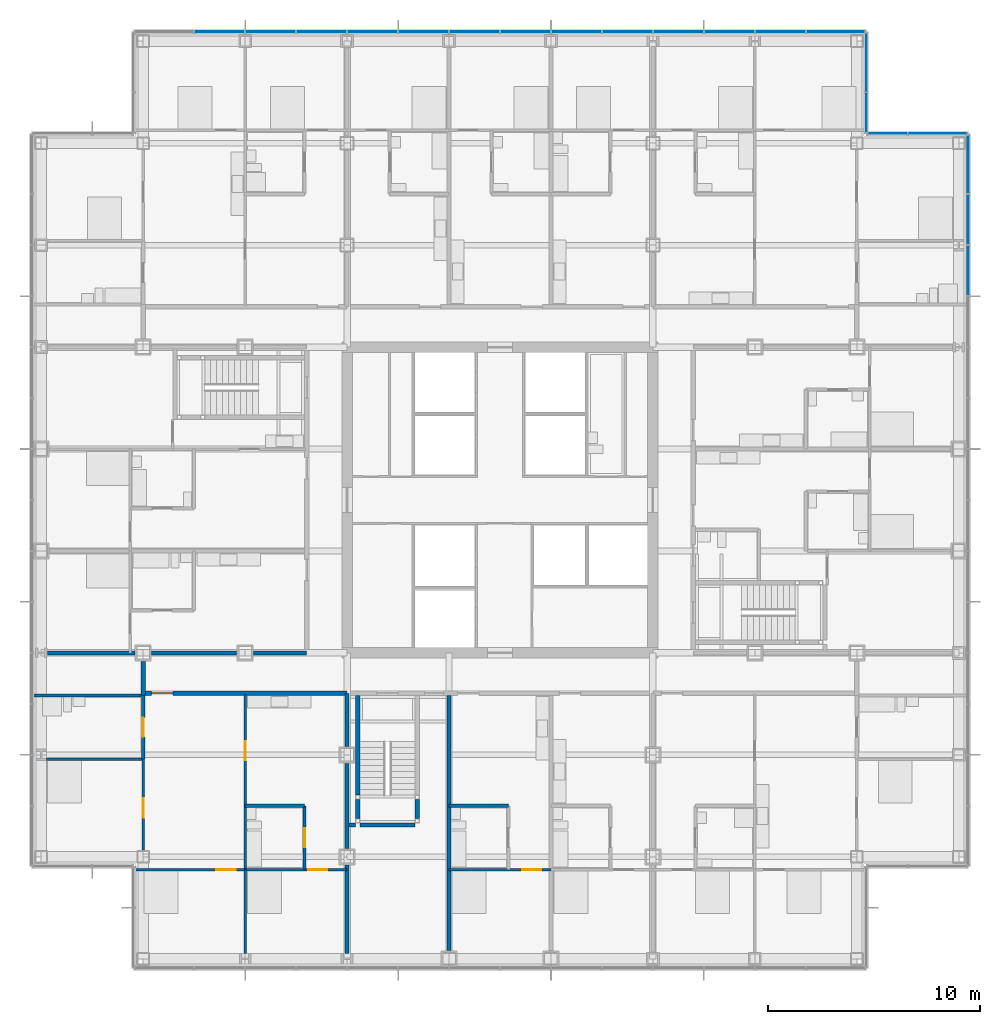
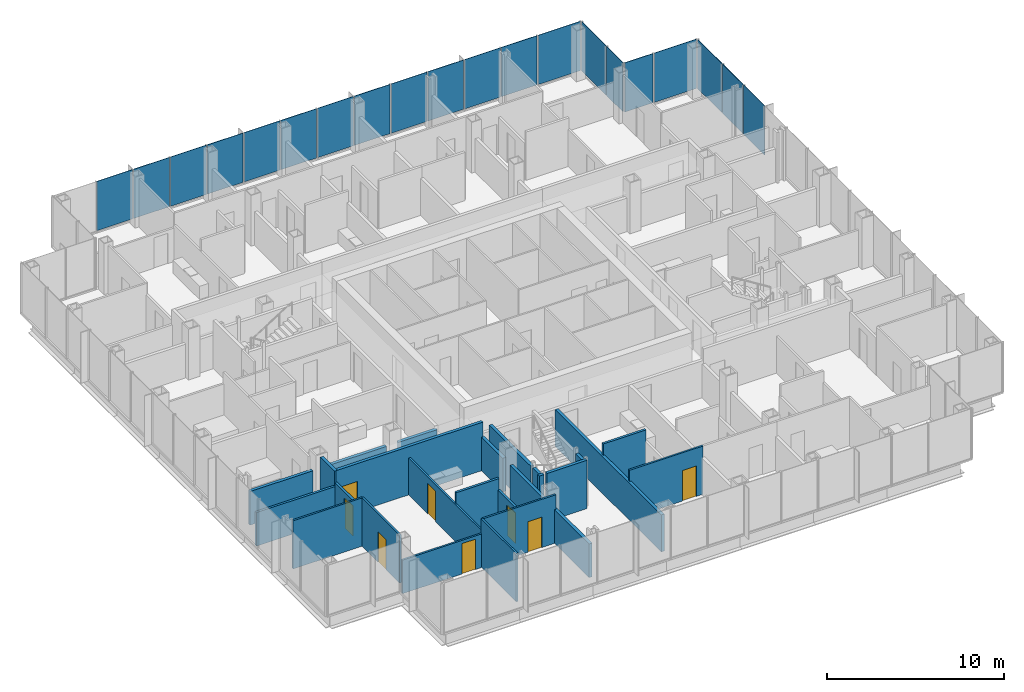
# One storey, part 13 of 21: 26 walls, 20 plates, 8 doors, 8 openings, 4 elements without a shape of their own.
"""IFC4 building model written with IfcOpenShell, lengths in metres."""

import ifcopenshell
import ifcopenshell.guid

model = None  # the IFC model being written
_history = None  # IfcOwnerHistory: only IFC2X3 demands one
_inside = {}  # id of a spatial element -> (the spatial element, [elements in it])
_under = {}  # id of a project, library or spatial element -> (it, [spatial elements below it])
_declared = {}  # id of a project -> (the project, [libraries it declares])
_typed = {}  # id of a type object -> (the type object, [elements of that type])
_made_of = {}  # id of a material, layer set ... -> (it, [elements and type objects made of it])


def new_model(schema):
    """Start an empty IFC model of exactly this schema.

    Asked for "IFC4X3", IfcOpenShell would pick the latest addendum, in which some entities
    have other attributes; the version numbers below select the first issue.
    IFC2X3 requires an IfcOwnerHistory on every rooted entity: one is made here for all.
    """
    global model, _history
    if schema == "IFC4X3":
        model = ifcopenshell.file(schema_version=(4, 3, 0, 0))
    else:
        model = ifcopenshell.file(schema=schema)
    _inside.clear()
    _under.clear()
    _declared.clear()
    _typed.clear()
    _made_of.clear()
    _history = None
    if model.schema == "IFC2X3":
        org = make("IfcOrganization", Name="unknown")
        user = make(
            "IfcPersonAndOrganization",
            ThePerson=make("IfcPerson", FamilyName="unknown"),
            TheOrganization=org,
        )
        app = make(
            "IfcApplication",
            ApplicationDeveloper=org,
            Version="unknown",
            ApplicationFullName="unknown",
            ApplicationIdentifier="unknown",
        )
        _history = make(
            "IfcOwnerHistory",
            OwningUser=user,
            OwningApplication=app,
            ChangeAction="ADDED",
            CreationDate=0,
        )
    return model


def make(cls, **values):
    """One entity of the class cls with the attributes given. An attribute that is None is left unset."""
    return model.create_entity(
        cls, **{name: value for name, value in values.items() if value is not None}
    )


def rooted(cls, **values):
    """An entity with a GlobalId (a new one), such as an element, a storey or a relation."""
    return make(cls, GlobalId=ifcopenshell.guid.new(), OwnerHistory=_history, **values)


def si_unit(unit_type, name, prefix=None):
    """IfcSIUnit, for example si_unit("LENGTHUNIT", "METRE", prefix="MILLI")."""
    return make("IfcSIUnit", UnitType=unit_type, Prefix=prefix, Name=name)


def assignment(units):
    """IfcUnitAssignment: the units of a project."""
    return None if units is None else make("IfcUnitAssignment", Units=units)


def point(xyz):
    """IfcCartesianPoint."""
    return None if xyz is None else make("IfcCartesianPoint", Coordinates=xyz)


def direction(xyz):
    """IfcDirection."""
    return None if xyz is None else make("IfcDirection", DirectionRatios=xyz)


def frame(location, z_axis=None, x_axis=None):
    """IfcAxis2Placement3D, a coordinate frame: its origin and axes. An axis left out is left unset."""
    return make(
        "IfcAxis2Placement3D",
        Location=point(location),
        Axis=direction(z_axis),
        RefDirection=direction(x_axis),
    )


def frame_2d(location, x_axis=None):
    """IfcAxis2Placement2D, a coordinate frame in the plane: its origin and x axis."""
    return make(
        "IfcAxis2Placement2D", Location=point(location), RefDirection=direction(x_axis)
    )


def origin():
    """The frame at (0, 0, 0) with its axes left unset."""
    return frame((0.0, 0.0, 0.0))


def origin_2d():
    """The frame at (0, 0) in the plane with its x axis left unset."""
    return frame_2d((0.0, 0.0))


def place(relative_to, where):
    """IfcLocalPlacement: puts the frame where relative to a parent placement (None: the world)."""
    return make(
        "IfcLocalPlacement", PlacementRelTo=relative_to, RelativePlacement=where
    )


def context(
    kind, dimensions, precision=None, world=None, true_north=None, identifier=None
):
    """IfcGeometricRepresentationContext, for example the 3D "Model" context."""
    return make(
        "IfcGeometricRepresentationContext",
        ContextIdentifier=identifier,
        ContextType=kind,
        CoordinateSpaceDimension=dimensions,
        Precision=precision,
        WorldCoordinateSystem=world,
        TrueNorth=true_north,
    )


def subcontext(parent, identifier, kind, view, scale=None):
    """IfcGeometricRepresentationSubContext, for example "Body" below "Model"."""
    return make(
        "IfcGeometricRepresentationSubContext",
        ContextIdentifier=identifier,
        ContextType=kind,
        ParentContext=parent,
        TargetScale=scale,
        TargetView=view,
    )


def project(units=None, contexts=None):
    """IfcProject with its units and contexts."""
    return rooted(
        "IfcProject",
        Name="project",
        RepresentationContexts=contexts,
        UnitsInContext=assignment(units),
    )


def spatial(cls, under=None, at=None, **own):
    """A site, building, storey or space (cls), placed at a placement, below another one or the project."""
    s = rooted(cls, ObjectPlacement=at, **own)
    if under is not None:
        _under.setdefault(under.id(), (under, []))[1].append(s)
    return s


def profile(cls, at=None, kind="AREA", **sizes):
    """A parametric profile (cls). Its sizes go by their IFC names, for example OverallWidth=200.0."""
    return make(cls, ProfileType=kind, Position=at, **sizes)


def rectangle(**sizes):
    """IfcRectangleProfileDef."""
    return profile("IfcRectangleProfileDef", **sizes)


def extrude(swept, where, along, depth):
    """IfcExtrudedAreaSolid: the profile swept, set in the frame where, extruded along a direction by depth."""
    return make(
        "IfcExtrudedAreaSolid",
        SweptArea=swept,
        Position=where,
        ExtrudedDirection=direction(along),
        Depth=depth,
    )


def shape(context_of_items, identifier, shape_type, items):
    """IfcShapeRepresentation: the items that make up one representation, for example the "Body"."""
    return make(
        "IfcShapeRepresentation",
        ContextOfItems=context_of_items,
        RepresentationIdentifier=identifier,
        RepresentationType=shape_type,
        Items=items,
    )


def material(Name=None, Category=None):
    """IfcMaterial."""
    return make("IfcMaterial", Name=Name, Category=Category)


def layer(
    of_material, thickness, ventilated=None, Name=None, Category=None, Priority=None
):
    """IfcMaterialLayer: one layer of a wall or slab, of a material (None: an air gap)."""
    return make(
        "IfcMaterialLayer",
        Material=of_material,
        LayerThickness=thickness,
        IsVentilated=ventilated,
        Name=Name,
        Category=Category,
        Priority=Priority,
    )


def layer_set(layers, Name=None):
    """IfcMaterialLayerSet."""
    return make("IfcMaterialLayerSet", MaterialLayers=layers, LayerSetName=Name)


def made_of(thing, what):
    """Note that an element or type object is made of a material, layer set ...; save() writes the relation."""
    if what is not None:
        _made_of.setdefault(what.id(), (what, []))[1].append(thing)
    return thing


def type_object(cls, material=None, **own):
    """A type object (cls), such as IfcWallType, which elements share."""
    return made_of(rooted(cls, **own), material)


def element(
    cls,
    number,
    at=None,
    inside=None,
    cuts=None,
    type_object=None,
    material=None,
    context=None,
    identifier="Body",
    shape_type=None,
    held_by="IfcProductDefinitionShape",
    body=None,
    shapes=None,
    **own,
):
    """One element of the class cls, such as IfcWall. Its Tag is "e" and its number.

    at: its placement. inside: the storey or other place that contains it. cuts: it is an
    opening in that element (IfcRelVoidsElement). A single representation is given by context,
    identifier, shape_type and body (its items); several are given by shapes. held_by: the class
    of the entity that holds the representations. save() writes the other relations.
    """
    e = rooted(cls, Tag="e%d" % number, ObjectPlacement=at, **own)
    if body is not None:
        shapes = [shape(context, identifier, shape_type, body)]
    if shapes is not None:
        e.Representation = make(held_by, Representations=shapes)
    if inside is not None:
        _inside.setdefault(inside.id(), (inside, []))[1].append(e)
    if cuts is not None:
        rooted(
            "IfcRelVoidsElement", RelatingBuildingElement=cuts, RelatedOpeningElement=e
        )
    if type_object is not None:
        _typed.setdefault(type_object.id(), (type_object, []))[1].append(e)
    return made_of(e, material)


def fill(opening, filler):
    """IfcRelFillsElement: the door or window that sits in an opening."""
    return rooted(
        "IfcRelFillsElement",
        RelatingOpeningElement=opening,
        RelatedBuildingElement=filler,
    )


def aggregate(whole, parts):
    """IfcRelAggregates: a whole, such as a stair, and the parts it consists of."""
    return rooted("IfcRelAggregates", RelatingObject=whole, RelatedObjects=parts)


def save(model, path):
    """Write the relations noted so far, then the file.

    IfcRelAggregates (storeys below a building ...), IfcRelContainedInSpatialStructure (elements
    in a storey), IfcRelDefinesByType, IfcRelAssociatesMaterial and IfcRelDeclares: one each for
    every whole, place, type object, material and project.
    """
    for whole, parts in _under.values():
        aggregate(whole, parts)
    for where, things in _inside.values():
        rooted(
            "IfcRelContainedInSpatialStructure",
            RelatedElements=things,
            RelatingStructure=where,
        )
    for kind, things in _typed.values():
        rooted("IfcRelDefinesByType", RelatedObjects=things, RelatingType=kind)
    for what, things in _made_of.values():
        rooted("IfcRelAssociatesMaterial", RelatedObjects=things, RelatingMaterial=what)
    for by, libraries in _declared.values():
        rooted("IfcRelDeclares", RelatingContext=by, RelatedDefinitions=libraries)
    model.write(path)


model = new_model("IFC4")

# Units and contexts
model_context = context("Model", 3, precision=1e-05, world=origin(), true_north=direction((0.0, 1.0)))
body_context = subcontext(model_context, "Body", "Model", "MODEL_VIEW")
ifc_project = project(units=[si_unit("LENGTHUNIT", "METRE"), si_unit("AREAUNIT", "SQUARE_METRE"), si_unit("VOLUMEUNIT", "CUBIC_METRE"), si_unit("PLANEANGLEUNIT", "RADIAN"), si_unit("MASSUNIT", "GRAM", prefix="KILO")], contexts=[model_context])

# Site, building, storey
site_placement = place(None, origin())
site = spatial("IfcSite", under=ifc_project, at=site_placement, CompositionType="ELEMENT")
building_placement = place(site_placement, origin())
building = spatial("IfcBuilding", under=site, at=building_placement, Name="Kvirike Care Tower", CompositionType="ELEMENT")
storey_placement = place(building_placement, frame((0.0, 0.0, 55.0)))
storey = spatial("IfcBuildingStorey", under=building, at=storey_placement, Name="L14", CompositionType="ELEMENT", Elevation=55.0)

# Curtain wall, plates
ifc_material_1 = material(Name="Anodised aluminium stick system", Category="aluminium")
curtain_wall_type = type_object("IfcCurtainWallType", Name="CW-A STICK CURTAIN WALL", PredefinedType="NOTDEFINED", material=ifc_material_1)
curtain_wall_1_placement = place(storey_placement, origin())
curtain_wall_1 = element("IfcCurtainWall", 1, at=curtain_wall_1_placement, inside=storey, type_object=curtain_wall_type, Name="Curtain wall L14 face 7", PredefinedType="NOTDEFINED")
ifc_material_2 = material(Name="Tinted double glazed unit", Category="glass")
ifc_layer_1 = layer(ifc_material_2, 0.031982421875)
ifc_layer_set_1 = layer_set([ifc_layer_1], Name="TINTED VISION PANEL 32")
plate_type = type_object("IfcPlateType", Name="TINTED VISION PANEL 32", PredefinedType="CURTAIN_PANEL", material=ifc_layer_set_1)
plate_1_placement = place(storey_placement, frame((43.64990234375, 46.800048828125, 0.10009765625), z_axis=(0.0, 0.0, 1.0), x_axis=(0.0, 1.0, 0.0)))
plate_1 = element("IfcPlate", 2, at=plate_1_placement, type_object=plate_type, Name="CW-A panel L14 face 7.12", PredefinedType="CURTAIN_PANEL", context=body_context, shape_type="SweptSolid", body=[
    extrude(rectangle(XDim=2.3349609375, YDim=0.031982421875, at=origin_2d()), origin(), (0.0, 0.0, 1.0), 3.39990234375),
])
plate_2_placement = place(storey_placement, frame((43.64990234375, 49.199951171875, 0.10009765625), z_axis=(0.0, 0.0, 1.0), x_axis=(0.0, 1.0, 0.0)))
plate_2 = element("IfcPlate", 3, at=plate_2_placement, type_object=plate_type, Name="CW-A panel L14 face 7.13", PredefinedType="CURTAIN_PANEL", context=body_context, shape_type="SweptSolid", body=[
    extrude(rectangle(XDim=2.3349609375, YDim=0.031982421875, at=origin_2d()), origin(), (0.0, 0.0, 1.0), 3.39990234375),
])
plate_3_placement = place(storey_placement, frame((43.64990234375, 51.808837890625, 0.10009765625), z_axis=(0.0, 0.0, 1.0), x_axis=(0.0, 1.0, 0.0)))
plate_3 = element("IfcPlate", 4, at=plate_3_placement, type_object=plate_type, Name="CW-A panel L14 face 7.14", PredefinedType="CURTAIN_PANEL", context=body_context, shape_type="SweptSolid", body=[
    extrude(rectangle(XDim=2.75244140625, YDim=0.031982421875, at=origin_2d()), origin(), (0.0, 0.0, 1.0), 3.39990234375),
])
aggregate(curtain_wall_1, [plate_1, plate_2, plate_3])

curtain_wall_2_placement = place(storey_placement, origin())
curtain_wall_2 = element("IfcCurtainWall", 5, at=curtain_wall_2_placement, inside=storey, type_object=curtain_wall_type, Name="Curtain wall L14 face 8", PredefinedType="NOTDEFINED")
plate_4_placement = place(storey_placement, frame((42.208740234375, 53.25, 0.10009765625), z_axis=(0.0, 0.0, 1.0), x_axis=(-1.0, 0.0, 0.0)))
plate_4 = element("IfcPlate", 6, at=plate_4_placement, type_object=plate_type, Name="CW-A panel L14 face 8.1", PredefinedType="CURTAIN_PANEL", context=body_context, shape_type="SweptSolid", body=[
    extrude(rectangle(XDim=2.75244140625, YDim=0.031982421875, at=origin_2d()), origin(), (0.0, 0.0, 1.0), 3.39990234375),
])
plate_5_placement = place(storey_placement, frame((39.84130859375, 53.25, 0.10009765625), z_axis=(0.0, 0.0, 1.0), x_axis=(-1.0, 0.0, 0.0)))
plate_5 = element("IfcPlate", 7, at=plate_5_placement, type_object=plate_type, Name="CW-A panel L14 face 8.2", PredefinedType="CURTAIN_PANEL", context=body_context, shape_type="SweptSolid", body=[
    extrude(rectangle(XDim=1.8525390625, YDim=0.031982421875, at=origin_2d()), origin(), (0.0, 0.0, 1.0), 3.39990234375),
])
aggregate(curtain_wall_2, [plate_4, plate_5])

curtain_wall_3_placement = place(storey_placement, origin())
curtain_wall_3 = element("IfcCurtainWall", 8, at=curtain_wall_3_placement, inside=storey, type_object=curtain_wall_type, Name="Curtain wall L14 face 9", PredefinedType="NOTDEFINED")
plate_6_placement = place(storey_placement, frame((38.85009765625, 54.2412109375, 0.10009765625), z_axis=(0.0, 0.0, 1.0), x_axis=(0.0, 1.0, 0.0)))
plate_6 = element("IfcPlate", 9, at=plate_6_placement, type_object=plate_type, Name="CW-A panel L14 face 9.1", PredefinedType="CURTAIN_PANEL", context=body_context, shape_type="SweptSolid", body=[
    extrude(rectangle(XDim=1.8525390625, YDim=0.031982421875, at=origin_2d()), origin(), (0.0, 0.0, 1.0), 3.39990234375),
])
plate_7_placement = place(storey_placement, frame((38.85009765625, 56.608642578125, 0.10009765625), z_axis=(0.0, 0.0, 1.0), x_axis=(0.0, 1.0, 0.0)))
plate_7 = element("IfcPlate", 10, at=plate_7_placement, type_object=plate_type, Name="CW-A panel L14 face 9.2", PredefinedType="CURTAIN_PANEL", context=body_context, shape_type="SweptSolid", body=[
    extrude(rectangle(XDim=2.75244140625, YDim=0.031982421875, at=origin_2d()), origin(), (0.0, 0.0, 1.0), 3.39990234375),
])
aggregate(curtain_wall_3, [plate_6, plate_7])

curtain_wall_4_placement = place(storey_placement, origin())
curtain_wall_4 = element("IfcCurtainWall", 11, at=curtain_wall_4_placement, inside=storey, type_object=curtain_wall_type, Name="Curtain wall L14 face 10", PredefinedType="NOTDEFINED")
plate_8_placement = place(storey_placement, frame((37.40869140625, 58.050048828125, 0.10009765625), z_axis=(0.0, 0.0, 1.0), x_axis=(-1.0, 0.0, 0.0)))
plate_8 = element("IfcPlate", 12, at=plate_8_placement, type_object=plate_type, Name="CW-A panel L14 face 10.1", PredefinedType="CURTAIN_PANEL", context=body_context, shape_type="SweptSolid", body=[
    extrude(rectangle(XDim=2.75244140625, YDim=0.031982421875, at=origin_2d()), origin(), (0.0, 0.0, 1.0), 3.39990234375),
])
plate_9_placement = place(storey_placement, frame((34.800048828125, 58.050048828125, 0.10009765625), z_axis=(0.0, 0.0, 1.0), x_axis=(-1.0, 0.0, 0.0)))
plate_9 = element("IfcPlate", 13, at=plate_9_placement, type_object=plate_type, Name="CW-A panel L14 face 10.2", PredefinedType="CURTAIN_PANEL", context=body_context, shape_type="SweptSolid", body=[
    extrude(rectangle(XDim=2.3349609375, YDim=0.031982421875, at=origin_2d()), origin(), (0.0, 0.0, 1.0), 3.39990234375),
])
plate_10_placement = place(storey_placement, frame((32.39990234375, 58.050048828125, 0.10009765625), z_axis=(0.0, 0.0, 1.0), x_axis=(-1.0, 0.0, 0.0)))
plate_10 = element("IfcPlate", 14, at=plate_10_placement, type_object=plate_type, Name="CW-A panel L14 face 10.3", PredefinedType="CURTAIN_PANEL", context=body_context, shape_type="SweptSolid", body=[
    extrude(rectangle(XDim=2.3349609375, YDim=0.031982421875, at=origin_2d()), origin(), (0.0, 0.0, 1.0), 3.39990234375),
])
plate_11_placement = place(storey_placement, frame((30.0, 58.050048828125, 0.10009765625), z_axis=(0.0, 0.0, 1.0), x_axis=(-1.0, 0.0, 0.0)))
plate_11 = element("IfcPlate", 15, at=plate_11_placement, type_object=plate_type, Name="CW-A panel L14 face 10.4", PredefinedType="CURTAIN_PANEL", context=body_context, shape_type="SweptSolid", body=[
    extrude(rectangle(XDim=2.3349609375, YDim=0.031982421875, at=origin_2d()), origin(), (0.0, 0.0, 1.0), 3.39990234375),
])
plate_12_placement = place(storey_placement, frame((27.60009765625, 58.050048828125, 0.10009765625), z_axis=(0.0, 0.0, 1.0), x_axis=(-1.0, 0.0, 0.0)))
plate_12 = element("IfcPlate", 16, at=plate_12_placement, type_object=plate_type, Name="CW-A panel L14 face 10.5", PredefinedType="CURTAIN_PANEL", context=body_context, shape_type="SweptSolid", body=[
    extrude(rectangle(XDim=2.3349609375, YDim=0.031982421875, at=origin_2d()), origin(), (0.0, 0.0, 1.0), 3.39990234375),
])
plate_13_placement = place(storey_placement, frame((25.199951171875, 58.050048828125, 0.10009765625), z_axis=(0.0, 0.0, 1.0), x_axis=(-1.0, 0.0, 0.0)))
plate_13 = element("IfcPlate", 17, at=plate_13_placement, type_object=plate_type, Name="CW-A panel L14 face 10.6", PredefinedType="CURTAIN_PANEL", context=body_context, shape_type="SweptSolid", body=[
    extrude(rectangle(XDim=2.3349609375, YDim=0.031982421875, at=origin_2d()), origin(), (0.0, 0.0, 1.0), 3.39990234375),
])
plate_14_placement = place(storey_placement, frame((22.800048828125, 58.050048828125, 0.10009765625), z_axis=(0.0, 0.0, 1.0), x_axis=(-1.0, 0.0, 0.0)))
plate_14 = element("IfcPlate", 18, at=plate_14_placement, type_object=plate_type, Name="CW-A panel L14 face 10.7", PredefinedType="CURTAIN_PANEL", context=body_context, shape_type="SweptSolid", body=[
    extrude(rectangle(XDim=2.3349609375, YDim=0.031982421875, at=origin_2d()), origin(), (0.0, 0.0, 1.0), 3.39990234375),
])
plate_15_placement = place(storey_placement, frame((20.39990234375, 58.050048828125, 0.10009765625), z_axis=(0.0, 0.0, 1.0), x_axis=(-1.0, 0.0, 0.0)))
plate_15 = element("IfcPlate", 19, at=plate_15_placement, type_object=plate_type, Name="CW-A panel L14 face 10.8", PredefinedType="CURTAIN_PANEL", context=body_context, shape_type="SweptSolid", body=[
    extrude(rectangle(XDim=2.3349609375, YDim=0.031982421875, at=origin_2d()), origin(), (0.0, 0.0, 1.0), 3.39990234375),
])
plate_16_placement = place(storey_placement, frame((18.0, 58.050048828125, 0.10009765625), z_axis=(0.0, 0.0, 1.0), x_axis=(-1.0, 0.0, 0.0)))
plate_16 = element("IfcPlate", 20, at=plate_16_placement, type_object=plate_type, Name="CW-A panel L14 face 10.9", PredefinedType="CURTAIN_PANEL", context=body_context, shape_type="SweptSolid", body=[
    extrude(rectangle(XDim=2.3349609375, YDim=0.031982421875, at=origin_2d()), origin(), (0.0, 0.0, 1.0), 3.39990234375),
])
plate_17_placement = place(storey_placement, frame((15.60009765625, 58.050048828125, 0.10009765625), z_axis=(0.0, 0.0, 1.0), x_axis=(-1.0, 0.0, 0.0)))
plate_17 = element("IfcPlate", 21, at=plate_17_placement, type_object=plate_type, Name="CW-A panel L14 face 10.10", PredefinedType="CURTAIN_PANEL", context=body_context, shape_type="SweptSolid", body=[
    extrude(rectangle(XDim=2.3349609375, YDim=0.031982421875, at=origin_2d()), origin(), (0.0, 0.0, 1.0), 3.39990234375),
])
plate_18_placement = place(storey_placement, frame((13.199951171875, 58.050048828125, 0.10009765625), z_axis=(0.0, 0.0, 1.0), x_axis=(-1.0, 0.0, 0.0)))
plate_18 = element("IfcPlate", 22, at=plate_18_placement, type_object=plate_type, Name="CW-A panel L14 face 10.11", PredefinedType="CURTAIN_PANEL", context=body_context, shape_type="SweptSolid", body=[
    extrude(rectangle(XDim=2.3349609375, YDim=0.031982421875, at=origin_2d()), origin(), (0.0, 0.0, 1.0), 3.39990234375),
])
plate_19_placement = place(storey_placement, frame((10.800048828125, 58.050048828125, 0.10009765625), z_axis=(0.0, 0.0, 1.0), x_axis=(-1.0, 0.0, 0.0)))
plate_19 = element("IfcPlate", 23, at=plate_19_placement, type_object=plate_type, Name="CW-A panel L14 face 10.12", PredefinedType="CURTAIN_PANEL", context=body_context, shape_type="SweptSolid", body=[
    extrude(rectangle(XDim=2.3349609375, YDim=0.031982421875, at=origin_2d()), origin(), (0.0, 0.0, 1.0), 3.39990234375),
])
plate_20_placement = place(storey_placement, frame((8.39990234375, 58.050048828125, 0.10009765625), z_axis=(0.0, 0.0, 1.0), x_axis=(-1.0, 0.0, 0.0)))
plate_20 = element("IfcPlate", 24, at=plate_20_placement, type_object=plate_type, Name="CW-A panel L14 face 10.13", PredefinedType="CURTAIN_PANEL", context=body_context, shape_type="SweptSolid", body=[
    extrude(rectangle(XDim=2.3349609375, YDim=0.031982421875, at=origin_2d()), origin(), (0.0, 0.0, 1.0), 3.39990234375),
])
aggregate(curtain_wall_4, [plate_8, plate_9, plate_10, plate_11, plate_12, plate_13, plate_14, plate_15, plate_16, plate_17, plate_18, plate_19, plate_20])

# Wall, opening, door
ifc_material_3 = material(Name="Moisture-resistant board partition", Category="gypsum")
ifc_layer_2 = layer(ifc_material_3, 0.14990234375)
ifc_layer_set_2 = layer_set([ifc_layer_2], Name="BATHROOM WALL 150")
wall_type_1 = type_object("IfcWallType", Name="BATHROOM WALL 150", PredefinedType="PARTITIONING", material=ifc_layer_set_2)
wall_1_placement = place(storey_placement, frame((4.800048828125, 23.800048828125, 0.0), z_axis=(0.0, 0.0, 1.0), x_axis=(0.0, 1.0, 0.0)))
wall_1 = element("IfcWall", 25, at=wall_1_placement, inside=storey, type_object=wall_type_1, Name="Bathroom Wall 150 L14", PredefinedType="PARTITIONING", context=body_context, shape_type="SweptSolid", body=[
    extrude(rectangle(XDim=3.0, YDim=0.14990234375, at=frame_2d((1.5, 0.0))), origin(), (0.0, 0.0, 1.0), 2.550048828125),
])
opening_1_placement = place(wall_1_placement, frame((1.050048828125, 0.0, 0.0)))
opening_1 = element("IfcOpeningElement", 26, at=opening_1_placement, cuts=wall_1, Name="Opening 14-001", PredefinedType="OPENING", context=body_context, shape_type="SweptSolid", body=[
    extrude(rectangle(XDim=0.89990234375, YDim=2.10009765625, at=frame_2d((0.449951171875, 1.050048828125))), frame((0.0, 0.08544921875, 0.0), z_axis=(0.0, -1.0, 0.0), x_axis=(1.0, 0.0, 0.0)), (0.0, 0.0, 1.0), 0.1708984375),
])
ifc_material_4 = material(Name="Timber door set", Category="wood")
door_type_1 = type_object("IfcDoorType", Name="BATHROOM DOOR 900", OperationType="SINGLE_SWING_RIGHT", PredefinedType="DOOR", material=ifc_material_4)
door_1_placement = place(opening_1_placement, origin())
door_1 = element("IfcDoor", 27, at=door_1_placement, inside=storey, type_object=door_type_1, Name="Shower room door", OperationType="SINGLE_SWING_RIGHT", OverallHeight=2.10009765625, OverallWidth=0.89990234375, PredefinedType="DOOR", context=body_context, shape_type="SweptSolid", body=[
    extrude(rectangle(XDim=0.89990234375, YDim=2.10009765625, at=frame_2d((0.449951171875, 1.050048828125))), frame((0.0, 0.02197265625, 0.0), z_axis=(0.0, -1.0, 0.0), x_axis=(1.0, 0.0, 0.0)), (0.0, 0.0, 1.0), 0.0439453125),
])
fill(opening_1, door_1)

wall_2_placement = place(storey_placement, frame((12.39990234375, 18.60009765625, 0.0), z_axis=(0.0, 0.0, 1.0), x_axis=(0.0, 1.0, 0.0)))
wall_2 = element("IfcWall", 28, at=wall_2_placement, inside=storey, type_object=wall_type_1, Name="Bathroom Wall 150 L14", PredefinedType="PARTITIONING", context=body_context, shape_type="SweptSolid", body=[
    extrude(rectangle(XDim=3.0, YDim=0.14990234375, at=frame_2d((1.5, 0.0))), origin(), (0.0, 0.0, 1.0), 2.550048828125),
])
opening_2_placement = place(wall_2_placement, frame((1.050048828125, 0.0, 0.0)))
opening_2 = element("IfcOpeningElement", 29, at=opening_2_placement, cuts=wall_2, Name="Opening 14-002", PredefinedType="OPENING", context=body_context, shape_type="SweptSolid", body=[
    extrude(rectangle(XDim=0.89990234375, YDim=2.10009765625, at=frame_2d((0.449951171875, 1.050048828125))), frame((0.0, 0.08544921875, 0.0), z_axis=(0.0, -1.0, 0.0), x_axis=(1.0, 0.0, 0.0)), (0.0, 0.0, 1.0), 0.1708984375),
])
door_2_placement = place(opening_2_placement, origin())
door_2 = element("IfcDoor", 30, at=door_2_placement, inside=storey, type_object=door_type_1, Name="Bathroom door", OperationType="SINGLE_SWING_LEFT", OverallHeight=2.10009765625, OverallWidth=0.89990234375, PredefinedType="DOOR", context=body_context, shape_type="SweptSolid", body=[
    extrude(rectangle(XDim=0.89990234375, YDim=2.10009765625, at=frame_2d((0.449951171875, 1.050048828125))), frame((0.0, 0.02197265625, 0.0), z_axis=(0.0, -1.0, 0.0), x_axis=(1.0, 0.0, 0.0)), (0.0, 0.0, 1.0), 0.0439453125),
])
fill(opening_2, door_2)

# Walls
wall_3_placement = place(storey_placement, frame((9.60009765625, 21.60009765625, 0.0), z_axis=(0.0, 0.0, 1.0), x_axis=(1.0, 0.0, 0.0)))
element("IfcWall", 31, at=wall_3_placement, inside=storey, type_object=wall_type_1, Name="Bathroom Wall 150 L14", PredefinedType="PARTITIONING", context=body_context, shape_type="SweptSolid", body=[
    extrude(rectangle(XDim=2.7998046875, YDim=0.14990234375, at=frame_2d((1.39990234375, 0.0))), origin(), (0.0, 0.0, 1.0), 3.330078125),
])
wall_4_placement = place(storey_placement, frame((19.199951171875, 21.60009765625, 0.0), z_axis=(0.0, 0.0, 1.0), x_axis=(1.0, 0.0, 0.0)))
element("IfcWall", 32, at=wall_4_placement, inside=storey, type_object=wall_type_1, Name="Bathroom Wall 150 L14", PredefinedType="PARTITIONING", context=body_context, shape_type="SweptSolid", body=[
    extrude(rectangle(XDim=2.800048828125, YDim=0.14990234375, at=frame_2d((1.39990234375, 0.0))), origin(), (0.0, 0.0, 1.0), 3.330078125),
])
wall_5_placement = place(storey_placement, frame((-0.429931640625, 26.800048828125, 0.0), z_axis=(0.0, 0.0, 1.0), x_axis=(1.0, 0.0, 0.0)))
element("IfcWall", 33, at=wall_5_placement, inside=storey, type_object=wall_type_1, Name="Bathroom Wall 150 L14", PredefinedType="PARTITIONING", context=body_context, shape_type="SweptSolid", body=[
    extrude(rectangle(XDim=5.1298828125, YDim=0.14990234375, at=frame_2d((2.56494140625, 0.0))), origin(), (0.0, 0.0, 1.0), 2.320068359375),
])

# Wall, opening, door
ifc_material_5 = material(Name="Plasterboard corridor wall", Category="gypsum")
ifc_layer_3 = layer(ifc_material_5, 0.199951171875)
ifc_layer_set_3 = layer_set([ifc_layer_3], Name="CORRIDOR WALL 200")
wall_type_2 = type_object("IfcWallType", Name="CORRIDOR WALL 200", PredefinedType="PARTITIONING", material=ifc_layer_set_3)
wall_6_placement = place(storey_placement, frame((4.800048828125, 26.89990234375, 0.0), z_axis=(0.0, 0.0, 1.0), x_axis=(1.0, 0.0, 0.0)))
wall_6 = element("IfcWall", 34, at=wall_6_placement, inside=storey, type_object=wall_type_2, Name="Corridor Wall 200 L14", PredefinedType="PARTITIONING", context=body_context, shape_type="SweptSolid", body=[
    extrude(rectangle(XDim=9.599853515625, YDim=0.199951171875, at=frame_2d((4.7998046875, 0.0))), origin(), (0.0, 0.0, 1.0), 3.330078125),
])
opening_3_placement = place(wall_6_placement, frame((0.39990234375, 0.0, 0.0)))
opening_3 = element("IfcOpeningElement", 35, at=opening_3_placement, cuts=wall_6, Name="Opening 14-007", PredefinedType="OPENING", context=body_context, shape_type="SweptSolid", body=[
    extrude(rectangle(XDim=1.0, YDim=2.10009765625, at=frame_2d((0.5, 1.050048828125))), frame((0.0, 0.110595703125, 0.0), z_axis=(0.0, -1.0, 0.0), x_axis=(1.0, 0.0, 0.0)), (0.0, 0.0, 1.0), 0.220947265625),
])
ifc_material_6 = material(Name="Timber door set", Category="wood")
door_type_2 = type_object("IfcDoorType", Name="FLAT ENTRANCE DOOR 1000", OperationType="SINGLE_SWING_LEFT", PredefinedType="DOOR", material=ifc_material_6)
door_3_placement = place(opening_3_placement, frame((1.0, 0.0, 0.0), z_axis=(0.0, 0.0, 1.0), x_axis=(-1.0, 0.0, 0.0)))
door_3 = element("IfcDoor", 36, at=door_3_placement, inside=storey, type_object=door_type_2, Name="Three-bedroom corner apartment entrance", OperationType="SINGLE_SWING_LEFT", OverallHeight=2.10009765625, OverallWidth=1.0, PredefinedType="DOOR", context=body_context, shape_type="SweptSolid", body=[
    extrude(rectangle(XDim=1.0, YDim=2.10009765625, at=frame_2d((0.5, 1.050048828125))), frame((0.0, 0.02685546875, 0.0), z_axis=(0.0, -1.0, 0.0), x_axis=(1.0, 0.0, 0.0)), (0.0, 0.0, 1.0), 0.053955078125),
])
fill(opening_3, door_3)

# Wall
wall_7_placement = place(storey_placement, frame((4.800048828125, 26.800048828125, 0.0), z_axis=(0.0, 0.0, 1.0), x_axis=(0.0, 1.0, 0.0)))
element("IfcWall", 37, at=wall_7_placement, inside=storey, type_object=wall_type_2, Name="Corridor Wall 200 L14", PredefinedType="PARTITIONING", context=body_context, shape_type="SweptSolid", body=[
    extrude(rectangle(XDim=1.60498046875, YDim=0.199951171875, at=frame_2d((0.802490234375, 0.0))), origin(), (0.0, 0.0, 1.0), 3.330078125),
])

# Wall, opening, door
ifc_material_7 = material(Name="Plasterboard partition", Category="gypsum")
ifc_layer_4 = layer(ifc_material_7, 0.1201171875)
ifc_layer_set_4 = layer_set([ifc_layer_4], Name="PARTITION 120")
wall_type_3 = type_object("IfcWallType", Name="PARTITION 120", PredefinedType="PARTITIONING", material=ifc_layer_set_4)
wall_8_placement = place(storey_placement, frame((9.60009765625, 18.60009765625, 0.0), z_axis=(0.0, 0.0, 1.0), x_axis=(0.0, 1.0, 0.0)))
wall_8 = element("IfcWall", 38, at=wall_8_placement, inside=storey, type_object=wall_type_3, Name="Partition 120 L14", PredefinedType="PARTITIONING", context=body_context, shape_type="SweptSolid", body=[
    extrude(rectangle(XDim=8.25, YDim=0.1201171875, at=frame_2d((4.125, 0.0))), origin(), (0.0, 0.0, 1.0), 2.550048828125),
])
opening_4_placement = place(wall_8_placement, frame((5.14990234375, 0.0, 0.0)))
opening_4 = element("IfcOpeningElement", 39, at=opening_4_placement, cuts=wall_8, Name="Opening 14-003", PredefinedType="OPENING", context=body_context, shape_type="SweptSolid", body=[
    extrude(rectangle(XDim=0.89990234375, YDim=2.10009765625, at=frame_2d((0.449951171875, 1.050048828125))), frame((0.0, 0.070556640625, 0.0), z_axis=(0.0, -1.0, 0.0), x_axis=(1.0, 0.0, 0.0)), (0.0, 0.0, 1.0), 0.14111328125),
])
ifc_material_8 = material(Name="Timber door set", Category="wood")
door_type_3 = type_object("IfcDoorType", Name="INTERNAL DOOR 900", OperationType="SINGLE_SWING_LEFT", PredefinedType="DOOR", material=ifc_material_8)
door_4_placement = place(opening_4_placement, frame((0.89990234375, 0.0, 0.0), z_axis=(0.0, 0.0, 1.0), x_axis=(-1.0, 0.0, 0.0)))
door_4 = element("IfcDoor", 40, at=door_4_placement, inside=storey, type_object=door_type_3, Name="Hall door", OperationType="SINGLE_SWING_LEFT", OverallHeight=2.10009765625, OverallWidth=0.89990234375, PredefinedType="DOOR", context=body_context, shape_type="SweptSolid", body=[
    extrude(rectangle(XDim=0.89990234375, YDim=2.10009765625, at=frame_2d((0.449951171875, 1.050048828125))), frame((0.0, 0.02197265625, 0.0), z_axis=(0.0, -1.0, 0.0), x_axis=(1.0, 0.0, 0.0)), (0.0, 0.0, 1.0), 0.0439453125),
])
fill(opening_4, door_4)

# Wall
wall_9_placement = place(storey_placement, frame((0.243896484375, 23.800048828125, 0.0), z_axis=(0.0, 0.0, 1.0), x_axis=(1.0, 0.0, 0.0)))
element("IfcWall", 41, at=wall_9_placement, inside=storey, type_object=wall_type_3, Name="Partition 120 L14", PredefinedType="PARTITIONING", context=body_context, shape_type="SweptSolid", body=[
    extrude(rectangle(XDim=4.55615234375, YDim=0.1201171875, at=frame_2d((2.278076171875, 0.0))), origin(), (0.0, 0.0, 1.0), 3.330078125),
])

# Wall, opening, door
wall_10_placement = place(storey_placement, frame((4.364990234375, 18.60009765625, 0.0), z_axis=(0.0, 0.0, 1.0), x_axis=(1.0, 0.0, 0.0)))
wall_10 = element("IfcWall", 42, at=wall_10_placement, inside=storey, type_object=wall_type_3, Name="Partition 120 L14", PredefinedType="PARTITIONING", context=body_context, shape_type="SweptSolid", body=[
    extrude(rectangle(XDim=5.235107421875, YDim=0.1201171875, at=frame_2d((2.61767578125, 0.0))), origin(), (0.0, 0.0, 1.0), 2.320068359375),
])
opening_5_placement = place(wall_10_placement, frame((3.885009765625, 0.0, 0.0)))
opening_5 = element("IfcOpeningElement", 43, at=opening_5_placement, cuts=wall_10, Name="Opening 14-004", PredefinedType="OPENING", context=body_context, shape_type="SweptSolid", body=[
    extrude(rectangle(XDim=0.89990234375, YDim=2.10009765625, at=frame_2d((0.449951171875, 1.050048828125))), frame((0.0, 0.070556640625, 0.0), z_axis=(0.0, -1.0, 0.0), x_axis=(1.0, 0.0, 0.0)), (0.0, 0.0, 1.0), 0.14111328125),
])
door_5_placement = place(opening_5_placement, frame((0.89990234375, 0.0, 0.0), z_axis=(0.0, 0.0, 1.0), x_axis=(-1.0, 0.0, 0.0)))
door_5 = element("IfcDoor", 44, at=door_5_placement, inside=storey, type_object=door_type_3, Name="Apartment bedroom door", OperationType="SINGLE_SWING_RIGHT", OverallHeight=2.10009765625, OverallWidth=0.89990234375, PredefinedType="DOOR", context=body_context, shape_type="SweptSolid", body=[
    extrude(rectangle(XDim=0.89990234375, YDim=2.10009765625, at=frame_2d((0.449951171875, 1.050048828125))), frame((0.0, 0.02197265625, 0.0), z_axis=(0.0, -1.0, 0.0), x_axis=(1.0, 0.0, 0.0)), (0.0, 0.0, 1.0), 0.0439453125),
])
fill(opening_5, door_5)

wall_11_placement = place(storey_placement, frame((9.60009765625, 18.60009765625, 0.0), z_axis=(0.0, 0.0, 1.0), x_axis=(1.0, 0.0, 0.0)))
wall_11 = element("IfcWall", 45, at=wall_11_placement, inside=storey, type_object=wall_type_3, Name="Partition 120 L14", PredefinedType="PARTITIONING", context=body_context, shape_type="SweptSolid", body=[
    extrude(rectangle(XDim=4.7998046875, YDim=0.1201171875, at=frame_2d((2.39990234375, 0.0))), origin(), (0.0, 0.0, 1.0), 3.330078125),
])
opening_6_placement = place(wall_11_placement, frame((2.97509765625, 0.0, 0.0)))
opening_6 = element("IfcOpeningElement", 46, at=opening_6_placement, cuts=wall_11, Name="Opening 14-005", PredefinedType="OPENING", context=body_context, shape_type="SweptSolid", body=[
    extrude(rectangle(XDim=0.89990234375, YDim=2.10009765625, at=frame_2d((0.449951171875, 1.050048828125))), frame((0.0, 0.070556640625, 0.0), z_axis=(0.0, -1.0, 0.0), x_axis=(1.0, 0.0, 0.0)), (0.0, 0.0, 1.0), 0.14111328125),
])
door_6_placement = place(opening_6_placement, frame((0.89990234375, 0.0, 0.0), z_axis=(0.0, 0.0, 1.0), x_axis=(-1.0, 0.0, 0.0)))
door_6 = element("IfcDoor", 47, at=door_6_placement, inside=storey, type_object=door_type_3, Name="Apartment bedroom door", OperationType="SINGLE_SWING_RIGHT", OverallHeight=2.10009765625, OverallWidth=0.89990234375, PredefinedType="DOOR", context=body_context, shape_type="SweptSolid", body=[
    extrude(rectangle(XDim=0.89990234375, YDim=2.10009765625, at=frame_2d((0.449951171875, 1.050048828125))), frame((0.0, 0.02197265625, 0.0), z_axis=(0.0, -1.0, 0.0), x_axis=(1.0, 0.0, 0.0)), (0.0, 0.0, 1.0), 0.0439453125),
])
fill(opening_6, door_6)

wall_12_placement = place(storey_placement, frame((4.800048828125, 19.52001953125, 0.0), z_axis=(0.0, 0.0, 1.0), x_axis=(0.0, 1.0, 0.0)))
wall_12 = element("IfcWall", 48, at=wall_12_placement, inside=storey, type_object=wall_type_3, Name="Partition 120 L14", PredefinedType="PARTITIONING", context=body_context, shape_type="SweptSolid", body=[
    extrude(rectangle(XDim=4.280029296875, YDim=0.1201171875, at=frame_2d((2.14013671875, 0.0))), origin(), (0.0, 0.0, 1.0), 3.330078125),
])
opening_7_placement = place(wall_12_placement, frame((1.530029296875, 0.0, 0.0)))
opening_7 = element("IfcOpeningElement", 49, at=opening_7_placement, cuts=wall_12, Name="Opening 14-006", PredefinedType="OPENING", context=body_context, shape_type="SweptSolid", body=[
    extrude(rectangle(XDim=0.89990234375, YDim=2.10009765625, at=frame_2d((0.449951171875, 1.050048828125))), frame((0.0, 0.070556640625, 0.0), z_axis=(0.0, -1.0, 0.0), x_axis=(1.0, 0.0, 0.0)), (0.0, 0.0, 1.0), 0.14111328125),
])
door_7_placement = place(opening_7_placement, origin())
door_7 = element("IfcDoor", 50, at=door_7_placement, inside=storey, type_object=door_type_3, Name="Connecting door", OperationType="SINGLE_SWING_LEFT", OverallHeight=2.10009765625, OverallWidth=0.89990234375, PredefinedType="DOOR", context=body_context, shape_type="SweptSolid", body=[
    extrude(rectangle(XDim=0.89990234375, YDim=2.10009765625, at=frame_2d((0.449951171875, 1.050048828125))), frame((0.0, 0.02197265625, 0.0), z_axis=(0.0, -1.0, 0.0), x_axis=(1.0, 0.0, 0.0)), (0.0, 0.0, 1.0), 0.0439453125),
])
fill(opening_7, door_7)

# Wall
wall_13_placement = place(storey_placement, frame((9.60009765625, 14.64404296875, 0.0), z_axis=(0.0, 0.0, 1.0), x_axis=(0.0, 1.0, 0.0)))
element("IfcWall", 51, at=wall_13_placement, inside=storey, type_object=wall_type_3, Name="Partition 120 L14", PredefinedType="PARTITIONING", context=body_context, shape_type="SweptSolid", body=[
    extrude(rectangle(XDim=3.9560546875, YDim=0.1201171875, at=frame_2d((1.97802734375, 0.0))), origin(), (0.0, 0.0, 1.0), 3.330078125),
])

# Wall, opening, door
wall_14_placement = place(storey_placement, frame((19.199951171875, 18.60009765625, 0.0), z_axis=(0.0, 0.0, 1.0), x_axis=(1.0, 0.0, 0.0)))
wall_14 = element("IfcWall", 52, at=wall_14_placement, inside=storey, type_object=wall_type_3, Name="Partition 120 L14", PredefinedType="PARTITIONING", context=body_context, shape_type="SweptSolid", body=[
    extrude(rectangle(XDim=4.800048828125, YDim=0.1201171875, at=frame_2d((2.39990234375, 0.0))), origin(), (0.0, 0.0, 1.0), 3.330078125),
])
opening_8_placement = place(wall_14_placement, frame((3.449951171875, 0.0, 0.0)))
opening_8 = element("IfcOpeningElement", 53, at=opening_8_placement, cuts=wall_14, Name="Opening 14-025", PredefinedType="OPENING", context=body_context, shape_type="SweptSolid", body=[
    extrude(rectangle(XDim=0.89990234375, YDim=2.10009765625, at=frame_2d((0.449951171875, 1.050048828125))), frame((0.0, 0.070556640625, 0.0), z_axis=(0.0, -1.0, 0.0), x_axis=(1.0, 0.0, 0.0)), (0.0, 0.0, 1.0), 0.14111328125),
])
door_8_placement = place(opening_8_placement, frame((0.89990234375, 0.0, 0.0), z_axis=(0.0, 0.0, 1.0), x_axis=(-1.0, 0.0, 0.0)))
door_8 = element("IfcDoor", 54, at=door_8_placement, inside=storey, type_object=door_type_3, Name="Studio apartment living room door", OperationType="SINGLE_SWING_LEFT", OverallHeight=2.10009765625, OverallWidth=0.89990234375, PredefinedType="DOOR", context=body_context, shape_type="SweptSolid", body=[
    extrude(rectangle(XDim=0.89990234375, YDim=2.10009765625, at=frame_2d((0.449951171875, 1.050048828125))), frame((0.0, 0.02197265625, 0.0), z_axis=(0.0, -1.0, 0.0), x_axis=(1.0, 0.0, 0.0)), (0.0, 0.0, 1.0), 0.0439453125),
])
fill(opening_8, door_8)

# Walls
ifc_material_9 = material(Name="Plasterboard party wall", Category="gypsum")
ifc_layer_5 = layer(ifc_material_9, 0.199951171875)
ifc_layer_set_5 = layer_set([ifc_layer_5], Name="PARTY WALL 200")
wall_type_4 = type_object("IfcWallType", Name="PARTY WALL 200", PredefinedType="PARTITIONING", material=ifc_layer_set_5)
wall_15_placement = place(storey_placement, frame((19.199951171875, 14.794921875, 0.0), z_axis=(0.0, 0.0, 1.0), x_axis=(0.0, 1.0, 0.0)))
element("IfcWall", 55, at=wall_15_placement, inside=storey, type_object=wall_type_4, Name="Party Wall 200 L14", PredefinedType="PARTITIONING", context=body_context, shape_type="SweptSolid", body=[
    extrude(rectangle(XDim=12.005126953125, YDim=0.199951171875, at=frame_2d((6.00244140625, 0.0))), origin(), (0.0, 0.0, 1.0), 2.550048828125),
])
wall_16_placement = place(storey_placement, frame((12.5, 28.800048828125, 0.0), z_axis=(0.0, 0.0, 1.0), x_axis=(-1.0, 0.0, 0.0)))
element("IfcWall", 56, at=wall_16_placement, inside=storey, type_object=wall_type_4, Name="Party Wall 200 L14", PredefinedType="PARTITIONING", context=body_context, shape_type="SweptSolid", body=[
    extrude(rectangle(XDim=2.5048828125, YDim=0.199951171875, at=frame_2d((1.25244140625, 0.0))), origin(), (0.0, 0.0, 1.0), 2.320068359375),
])
wall_17_placement = place(storey_placement, frame((9.205078125, 28.800048828125, 0.0), z_axis=(0.0, 0.0, 1.0), x_axis=(-1.0, 0.0, 0.0)))
element("IfcWall", 57, at=wall_17_placement, inside=storey, type_object=wall_type_4, Name="Party Wall 200 L14", PredefinedType="PARTITIONING", context=body_context, shape_type="SweptSolid", body=[
    extrude(rectangle(XDim=4.010009765625, YDim=0.199951171875, at=frame_2d((2.0048828125, 0.0))), origin(), (0.0, 0.0, 1.0), 2.320068359375),
])
wall_18_placement = place(storey_placement, frame((4.405029296875, 28.800048828125, 0.0), z_axis=(0.0, 0.0, 1.0), x_axis=(-1.0, 0.0, 0.0)))
element("IfcWall", 58, at=wall_18_placement, inside=storey, type_object=wall_type_4, Name="Party Wall 200 L14", PredefinedType="PARTITIONING", context=body_context, shape_type="SweptSolid", body=[
    extrude(rectangle(XDim=4.110107421875, YDim=0.199951171875, at=frame_2d((2.05517578125, 0.0))), origin(), (0.0, 0.0, 1.0), 2.320068359375),
])
wall_19_placement = place(storey_placement, frame((14.39990234375, 14.64404296875, 0.0), z_axis=(0.0, 0.0, 1.0), x_axis=(0.0, 1.0, 0.0)))
element("IfcWall", 59, at=wall_19_placement, inside=storey, type_object=wall_type_4, Name="Party Wall 200 L14", PredefinedType="PARTITIONING", context=body_context, shape_type="SweptSolid", body=[
    extrude(rectangle(XDim=4.160888671875, YDim=0.199951171875, at=frame_2d((2.08056640625, 0.0))), origin(), (0.0, 0.0, 1.0), 2.320068359375),
])
wall_20_placement = place(storey_placement, frame((14.39990234375, 19.594970703125, 0.0), z_axis=(0.0, 0.0, 1.0), x_axis=(0.0, 1.0, 0.0)))
element("IfcWall", 60, at=wall_20_placement, inside=storey, type_object=wall_type_4, Name="Party Wall 200 L14", PredefinedType="PARTITIONING", context=body_context, shape_type="SweptSolid", body=[
    extrude(rectangle(XDim=4.010009765625, YDim=0.199951171875, at=frame_2d((2.0048828125, 0.0))), origin(), (0.0, 0.0, 1.0), 2.320068359375),
])
wall_21_placement = place(storey_placement, frame((14.39990234375, 24.39501953125, 0.0), z_axis=(0.0, 0.0, 1.0), x_axis=(0.0, 1.0, 0.0)))
element("IfcWall", 61, at=wall_21_placement, inside=storey, type_object=wall_type_4, Name="Party Wall 200 L14", PredefinedType="PARTITIONING", context=body_context, shape_type="SweptSolid", body=[
    extrude(rectangle(XDim=2.5048828125, YDim=0.199951171875, at=frame_2d((1.25244140625, 0.0))), origin(), (0.0, 0.0, 1.0), 2.320068359375),
])
ifc_material_10 = material(Name="Concrete C40/50", Category="concrete")
ifc_layer_6 = layer(ifc_material_10, 0.199951171875)
ifc_layer_set_6 = layer_set([ifc_layer_6], Name="STAIR WALL 200")
wall_type_5 = type_object("IfcWallType", Name="STAIR WALL 200", PredefinedType="SOLIDWALL", material=ifc_layer_set_6)
wall_22_placement = place(storey_placement, frame((14.89990234375, 21.0, 0.0), z_axis=(0.0, 0.0, 1.0), x_axis=(0.0, 1.0, 0.0)))
element("IfcWall", 62, at=wall_22_placement, inside=storey, type_object=wall_type_5, Name="Stair Wall 200 L14", PredefinedType="SOLIDWALL", context=body_context, shape_type="SweptSolid", body=[
    extrude(rectangle(XDim=0.89990234375, YDim=0.199951171875, at=frame_2d((0.449951171875, 0.0))), origin(), (0.0, 0.0, 1.0), 2.989990234375),
])
wall_23_placement = place(storey_placement, frame((14.89990234375, 22.10009765625, 0.0), z_axis=(0.0, 0.0, 1.0), x_axis=(0.0, 1.0, 0.0)))
element("IfcWall", 63, at=wall_23_placement, inside=storey, type_object=wall_type_5, Name="Stair Wall 200 L14", PredefinedType="SOLIDWALL", context=body_context, shape_type="SweptSolid", body=[
    extrude(rectangle(XDim=4.699951171875, YDim=0.199951171875, at=frame_2d((2.35009765625, 0.0))), origin(), (0.0, 0.0, 1.0), 2.989990234375),
])
wall_24_placement = place(storey_placement, frame((17.699951171875, 21.0, 0.0), z_axis=(0.0, 0.0, 1.0), x_axis=(0.0, 1.0, 0.0)))
element("IfcWall", 64, at=wall_24_placement, inside=storey, type_object=wall_type_5, Name="Stair Wall 200 L14", PredefinedType="SOLIDWALL", context=body_context, shape_type="SweptSolid", body=[
    extrude(rectangle(XDim=0.89990234375, YDim=0.199951171875, at=frame_2d((0.449951171875, 0.0))), origin(), (0.0, 0.0, 1.0), 2.989990234375),
])
wall_25_placement = place(storey_placement, frame((14.5, 20.699951171875, 0.0), z_axis=(0.0, 0.0, 1.0), x_axis=(1.0, 0.0, 0.0)))
element("IfcWall", 65, at=wall_25_placement, inside=storey, type_object=wall_type_5, Name="Stair Wall 200 L14", PredefinedType="SOLIDWALL", context=body_context, shape_type="SweptSolid", body=[
    extrude(rectangle(XDim=0.300048828125, YDim=0.199951171875, at=frame_2d((0.14990234375, 0.0))), origin(), (0.0, 0.0, 1.0), 3.330078125),
])
wall_26_placement = place(storey_placement, frame((15.0, 20.699951171875, 0.0), z_axis=(0.0, 0.0, 1.0), x_axis=(1.0, 0.0, 0.0)))
element("IfcWall", 66, at=wall_26_placement, inside=storey, type_object=wall_type_5, Name="Stair Wall 200 L14", PredefinedType="SOLIDWALL", context=body_context, shape_type="SweptSolid", body=[
    extrude(rectangle(XDim=2.60009765625, YDim=0.199951171875, at=frame_2d((1.300048828125, 0.0))), origin(), (0.0, 0.0, 1.0), 3.330078125),
])

save(model, "model.ifc")
